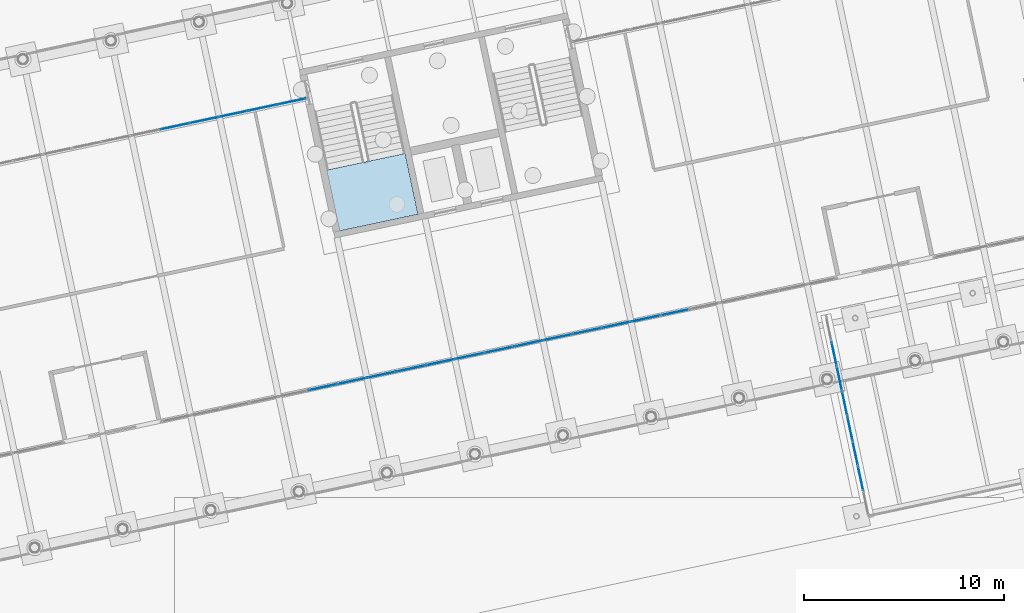
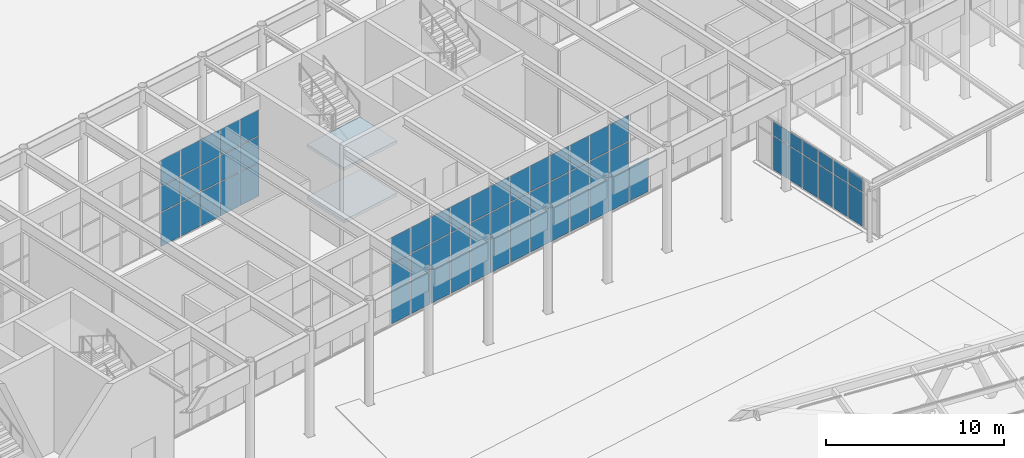
# One storey, part 141 of 239: 64 plates, 2 slabs, 4 elements without a shape of their own.
"""IFC4 building model written with IfcOpenShell, lengths in metres."""

from ifc_helpers import new_model, si_unit, direction, frame, origin, origin_2d, place, context, subcontext, project, spatial, polyline, rectangle, outline, extrude, material, layer, layer_set, type_object, element, aggregate, save


model = new_model("IFC4")

# Units and contexts
model_context = context("Model", 3, precision=1e-05, world=origin(), true_north=direction((0.0, 1.0)))
body_context = subcontext(model_context, "Body", "Model", "MODEL_VIEW")
ifc_project = project(units=[si_unit("LENGTHUNIT", "METRE"), si_unit("AREAUNIT", "SQUARE_METRE"), si_unit("VOLUMEUNIT", "CUBIC_METRE"), si_unit("PLANEANGLEUNIT", "RADIAN"), si_unit("MASSUNIT", "GRAM", prefix="KILO")], contexts=[model_context])

# Site, building, storey
site_placement = place(None, origin())
site = spatial("IfcSite", under=ifc_project, at=site_placement, CompositionType="ELEMENT")
building_placement = place(site_placement, origin())
building = spatial("IfcBuilding", under=site, at=building_placement, Name="Okhra Congress Centre", CompositionType="ELEMENT")
storey_placement = place(building_placement, origin())
storey = spatial("IfcBuildingStorey", under=building, at=storey_placement, Name="L00", CompositionType="ELEMENT", Elevation=0.0)

# Curtain wall, plates
ifc_material_1 = material(Name="Aluminium curtain wall, triple glazing", Category="aluminium")
curtain_wall_type_1 = type_object("IfcCurtainWallType", Name="Curtain wall 1500 module", PredefinedType="NOTDEFINED", material=ifc_material_1)
curtain_wall_1_placement = place(storey_placement, origin())
curtain_wall_1 = element("IfcCurtainWall", 1, at=curtain_wall_1_placement, inside=storey, type_object=curtain_wall_type_1, Name="Ground curtain wall S2", PredefinedType="NOTDEFINED")
ifc_material_2 = material(Name="Triple glazing unit, low-e coating, argon fill", Category="glass")
ifc_layer_1 = layer(ifc_material_2, 0.028076171875)
ifc_layer_set_1 = layer_set([ifc_layer_1], Name="Curtain wall glazing unit 28")
plate_type = type_object("IfcPlateType", Name="Curtain wall glazing unit 28", PredefinedType="CURTAIN_PANEL", material=ifc_layer_set_1)
plate_1_placement = place(storey_placement, frame((97.415771484375, 39.5107421875, 0.06005859375), z_axis=(0.0, 0.0, 1.0), x_axis=(0.978147600734, 0.207911690818, 0.0)))
plate_1 = element("IfcPlate", 2, at=plate_1_placement, type_object=plate_type, Name="CW7 panel 6.1", PredefinedType="CURTAIN_PANEL", context=body_context, shape_type="SweptSolid", body=[
    extrude(rectangle(XDim=1.43994140625, YDim=0.028076171875, at=origin_2d()), origin(), (0.0, 0.0, 1.0), 2.31005859375),
])
plate_2_placement = place(storey_placement, frame((97.415771484375, 39.5107421875, 2.43017578125), z_axis=(0.0, 0.0, 1.0), x_axis=(0.978147600734, 0.207911690818, 0.0)))
plate_2 = element("IfcPlate", 3, at=plate_2_placement, type_object=plate_type, Name="CW7 panel 6.2", PredefinedType="CURTAIN_PANEL", context=body_context, shape_type="SweptSolid", body=[
    extrude(rectangle(XDim=1.43994140625, YDim=0.028076171875, at=origin_2d()), origin(), (0.0, 0.0, 1.0), 1.739990234375),
])
plate_3_placement = place(storey_placement, frame((97.415771484375, 39.5107421875, 4.22998046875), z_axis=(0.0, 0.0, 1.0), x_axis=(0.978147600734, 0.207911690818, 0.0)))
plate_3 = element("IfcPlate", 4, at=plate_3_placement, type_object=plate_type, Name="CW7 panel 6.3", PredefinedType="CURTAIN_PANEL", context=body_context, shape_type="SweptSolid", body=[
    extrude(rectangle(XDim=1.43994140625, YDim=0.028076171875, at=origin_2d()), origin(), (0.0, 0.0, 1.0), 1.760009765625),
])
plate_4_placement = place(storey_placement, frame((98.883056640625, 39.82275390625, 0.06005859375), z_axis=(0.0, 0.0, 1.0), x_axis=(0.978147600734, 0.207911690818, 0.0)))
plate_4 = element("IfcPlate", 5, at=plate_4_placement, type_object=plate_type, Name="CW7 panel 7.1", PredefinedType="CURTAIN_PANEL", context=body_context, shape_type="SweptSolid", body=[
    extrude(rectangle(XDim=1.43994140625, YDim=0.028076171875, at=origin_2d()), origin(), (0.0, 0.0, 1.0), 2.31005859375),
])
plate_5_placement = place(storey_placement, frame((98.883056640625, 39.82275390625, 2.43017578125), z_axis=(0.0, 0.0, 1.0), x_axis=(0.978147600734, 0.207911690818, 0.0)))
plate_5 = element("IfcPlate", 6, at=plate_5_placement, type_object=plate_type, Name="CW7 panel 7.2", PredefinedType="CURTAIN_PANEL", context=body_context, shape_type="SweptSolid", body=[
    extrude(rectangle(XDim=1.43994140625, YDim=0.028076171875, at=origin_2d()), origin(), (0.0, 0.0, 1.0), 1.739990234375),
])
plate_6_placement = place(storey_placement, frame((98.883056640625, 39.82275390625, 4.22998046875), z_axis=(0.0, 0.0, 1.0), x_axis=(0.978147600734, 0.207911690818, 0.0)))
plate_6 = element("IfcPlate", 7, at=plate_6_placement, type_object=plate_type, Name="CW7 panel 7.3", PredefinedType="CURTAIN_PANEL", context=body_context, shape_type="SweptSolid", body=[
    extrude(rectangle(XDim=1.43994140625, YDim=0.028076171875, at=origin_2d()), origin(), (0.0, 0.0, 1.0), 1.760009765625),
])
plate_7_placement = place(storey_placement, frame((100.35009765625, 40.134521484375, 0.06005859375), z_axis=(0.0, 0.0, 1.0), x_axis=(0.978147600734, 0.207911690818, 0.0)))
plate_7 = element("IfcPlate", 8, at=plate_7_placement, type_object=plate_type, Name="CW7 panel 8.1", PredefinedType="CURTAIN_PANEL", context=body_context, shape_type="SweptSolid", body=[
    extrude(rectangle(XDim=1.43994140625, YDim=0.028076171875, at=origin_2d()), origin(), (0.0, 0.0, 1.0), 2.31005859375),
])
plate_8_placement = place(storey_placement, frame((100.35009765625, 40.134521484375, 2.43017578125), z_axis=(0.0, 0.0, 1.0), x_axis=(0.978147600734, 0.207911690818, 0.0)))
plate_8 = element("IfcPlate", 9, at=plate_8_placement, type_object=plate_type, Name="CW7 panel 8.2", PredefinedType="CURTAIN_PANEL", context=body_context, shape_type="SweptSolid", body=[
    extrude(rectangle(XDim=1.43994140625, YDim=0.028076171875, at=origin_2d()), origin(), (0.0, 0.0, 1.0), 1.739990234375),
])
plate_9_placement = place(storey_placement, frame((100.35009765625, 40.134521484375, 4.22998046875), z_axis=(0.0, 0.0, 1.0), x_axis=(0.978147600734, 0.207911690818, 0.0)))
plate_9 = element("IfcPlate", 10, at=plate_9_placement, type_object=plate_type, Name="CW7 panel 8.3", PredefinedType="CURTAIN_PANEL", context=body_context, shape_type="SweptSolid", body=[
    extrude(rectangle(XDim=1.43994140625, YDim=0.028076171875, at=origin_2d()), origin(), (0.0, 0.0, 1.0), 1.760009765625),
])
plate_10_placement = place(storey_placement, frame((101.8173828125, 40.4462890625, 0.06005859375), z_axis=(0.0, 0.0, 1.0), x_axis=(0.978147600734, 0.207911690818, 0.0)))
plate_10 = element("IfcPlate", 11, at=plate_10_placement, type_object=plate_type, Name="CW7 panel 9.1", PredefinedType="CURTAIN_PANEL", context=body_context, shape_type="SweptSolid", body=[
    extrude(rectangle(XDim=1.43994140625, YDim=0.028076171875, at=origin_2d()), origin(), (0.0, 0.0, 1.0), 2.31005859375),
])
plate_11_placement = place(storey_placement, frame((101.8173828125, 40.4462890625, 2.43017578125), z_axis=(0.0, 0.0, 1.0), x_axis=(0.978147600734, 0.207911690818, 0.0)))
plate_11 = element("IfcPlate", 12, at=plate_11_placement, type_object=plate_type, Name="CW7 panel 9.2", PredefinedType="CURTAIN_PANEL", context=body_context, shape_type="SweptSolid", body=[
    extrude(rectangle(XDim=1.43994140625, YDim=0.028076171875, at=origin_2d()), origin(), (0.0, 0.0, 1.0), 1.739990234375),
])
plate_12_placement = place(storey_placement, frame((101.8173828125, 40.4462890625, 4.22998046875), z_axis=(0.0, 0.0, 1.0), x_axis=(0.978147600734, 0.207911690818, 0.0)))
plate_12 = element("IfcPlate", 13, at=plate_12_placement, type_object=plate_type, Name="CW7 panel 9.3", PredefinedType="CURTAIN_PANEL", context=body_context, shape_type="SweptSolid", body=[
    extrude(rectangle(XDim=1.43994140625, YDim=0.028076171875, at=origin_2d()), origin(), (0.0, 0.0, 1.0), 1.760009765625),
])
plate_13_placement = place(storey_placement, frame((103.28466796875, 40.75830078125, 0.06005859375), z_axis=(0.0, 0.0, 1.0), x_axis=(0.978147600734, 0.207911690818, 0.0)))
plate_13 = element("IfcPlate", 14, at=plate_13_placement, type_object=plate_type, Name="CW7 panel 10.1", PredefinedType="CURTAIN_PANEL", context=body_context, shape_type="SweptSolid", body=[
    extrude(rectangle(XDim=1.43994140625, YDim=0.028076171875, at=origin_2d()), origin(), (0.0, 0.0, 1.0), 2.31005859375),
])
plate_14_placement = place(storey_placement, frame((103.28466796875, 40.75830078125, 2.43017578125), z_axis=(0.0, 0.0, 1.0), x_axis=(0.978147600734, 0.207911690818, 0.0)))
plate_14 = element("IfcPlate", 15, at=plate_14_placement, type_object=plate_type, Name="CW7 panel 10.2", PredefinedType="CURTAIN_PANEL", context=body_context, shape_type="SweptSolid", body=[
    extrude(rectangle(XDim=1.43994140625, YDim=0.028076171875, at=origin_2d()), origin(), (0.0, 0.0, 1.0), 1.739990234375),
])
plate_15_placement = place(storey_placement, frame((103.28466796875, 40.75830078125, 4.22998046875), z_axis=(0.0, 0.0, 1.0), x_axis=(0.978147600734, 0.207911690818, 0.0)))
plate_15 = element("IfcPlate", 16, at=plate_15_placement, type_object=plate_type, Name="CW7 panel 10.3", PredefinedType="CURTAIN_PANEL", context=body_context, shape_type="SweptSolid", body=[
    extrude(rectangle(XDim=1.43994140625, YDim=0.028076171875, at=origin_2d()), origin(), (0.0, 0.0, 1.0), 1.760009765625),
])
plate_16_placement = place(storey_placement, frame((104.751953125, 41.070068359375, 0.06005859375), z_axis=(0.0, 0.0, 1.0), x_axis=(0.978147600734, 0.207911690818, 0.0)))
plate_16 = element("IfcPlate", 17, at=plate_16_placement, type_object=plate_type, Name="CW7 panel 11.1", PredefinedType="CURTAIN_PANEL", context=body_context, shape_type="SweptSolid", body=[
    extrude(rectangle(XDim=1.43994140625, YDim=0.028076171875, at=origin_2d()), origin(), (0.0, 0.0, 1.0), 2.31005859375),
])
plate_17_placement = place(storey_placement, frame((104.751953125, 41.070068359375, 2.43017578125), z_axis=(0.0, 0.0, 1.0), x_axis=(0.978147600734, 0.207911690818, 0.0)))
plate_17 = element("IfcPlate", 18, at=plate_17_placement, type_object=plate_type, Name="CW7 panel 11.2", PredefinedType="CURTAIN_PANEL", context=body_context, shape_type="SweptSolid", body=[
    extrude(rectangle(XDim=1.43994140625, YDim=0.028076171875, at=origin_2d()), origin(), (0.0, 0.0, 1.0), 1.739990234375),
])
plate_18_placement = place(storey_placement, frame((104.751953125, 41.070068359375, 4.22998046875), z_axis=(0.0, 0.0, 1.0), x_axis=(0.978147600734, 0.207911690818, 0.0)))
plate_18 = element("IfcPlate", 19, at=plate_18_placement, type_object=plate_type, Name="CW7 panel 11.3", PredefinedType="CURTAIN_PANEL", context=body_context, shape_type="SweptSolid", body=[
    extrude(rectangle(XDim=1.43994140625, YDim=0.028076171875, at=origin_2d()), origin(), (0.0, 0.0, 1.0), 1.760009765625),
])
plate_19_placement = place(storey_placement, frame((106.218994140625, 41.382080078125, 0.06005859375), z_axis=(0.0, 0.0, 1.0), x_axis=(0.978147600734, 0.207911690818, 0.0)))
plate_19 = element("IfcPlate", 20, at=plate_19_placement, type_object=plate_type, Name="CW7 panel 12.1", PredefinedType="CURTAIN_PANEL", context=body_context, shape_type="SweptSolid", body=[
    extrude(rectangle(XDim=1.43994140625, YDim=0.028076171875, at=origin_2d()), origin(), (0.0, 0.0, 1.0), 2.31005859375),
])
plate_20_placement = place(storey_placement, frame((106.218994140625, 41.382080078125, 2.43017578125), z_axis=(0.0, 0.0, 1.0), x_axis=(0.978147600734, 0.207911690818, 0.0)))
plate_20 = element("IfcPlate", 21, at=plate_20_placement, type_object=plate_type, Name="CW7 panel 12.2", PredefinedType="CURTAIN_PANEL", context=body_context, shape_type="SweptSolid", body=[
    extrude(rectangle(XDim=1.43994140625, YDim=0.028076171875, at=origin_2d()), origin(), (0.0, 0.0, 1.0), 1.739990234375),
])
plate_21_placement = place(storey_placement, frame((106.218994140625, 41.382080078125, 4.22998046875), z_axis=(0.0, 0.0, 1.0), x_axis=(0.978147600734, 0.207911690818, 0.0)))
plate_21 = element("IfcPlate", 22, at=plate_21_placement, type_object=plate_type, Name="CW7 panel 12.3", PredefinedType="CURTAIN_PANEL", context=body_context, shape_type="SweptSolid", body=[
    extrude(rectangle(XDim=1.43994140625, YDim=0.028076171875, at=origin_2d()), origin(), (0.0, 0.0, 1.0), 1.760009765625),
])
plate_22_placement = place(storey_placement, frame((107.686279296875, 41.69384765625, 0.06005859375), z_axis=(0.0, 0.0, 1.0), x_axis=(0.978147600734, 0.207911690818, 0.0)))
plate_22 = element("IfcPlate", 23, at=plate_22_placement, type_object=plate_type, Name="CW7 panel 13.1", PredefinedType="CURTAIN_PANEL", context=body_context, shape_type="SweptSolid", body=[
    extrude(rectangle(XDim=1.43994140625, YDim=0.028076171875, at=origin_2d()), origin(), (0.0, 0.0, 1.0), 2.31005859375),
])
plate_23_placement = place(storey_placement, frame((107.686279296875, 41.69384765625, 2.43017578125), z_axis=(0.0, 0.0, 1.0), x_axis=(0.978147600734, 0.207911690818, 0.0)))
plate_23 = element("IfcPlate", 24, at=plate_23_placement, type_object=plate_type, Name="CW7 panel 13.2", PredefinedType="CURTAIN_PANEL", context=body_context, shape_type="SweptSolid", body=[
    extrude(rectangle(XDim=1.43994140625, YDim=0.028076171875, at=origin_2d()), origin(), (0.0, 0.0, 1.0), 1.739990234375),
])
plate_24_placement = place(storey_placement, frame((107.686279296875, 41.69384765625, 4.22998046875), z_axis=(0.0, 0.0, 1.0), x_axis=(0.978147600734, 0.207911690818, 0.0)))
plate_24 = element("IfcPlate", 25, at=plate_24_placement, type_object=plate_type, Name="CW7 panel 13.3", PredefinedType="CURTAIN_PANEL", context=body_context, shape_type="SweptSolid", body=[
    extrude(rectangle(XDim=1.43994140625, YDim=0.028076171875, at=origin_2d()), origin(), (0.0, 0.0, 1.0), 1.760009765625),
])
plate_25_placement = place(storey_placement, frame((109.153564453125, 42.005615234375, 0.06005859375), z_axis=(0.0, 0.0, 1.0), x_axis=(0.978147600734, 0.207911690818, 0.0)))
plate_25 = element("IfcPlate", 26, at=plate_25_placement, type_object=plate_type, Name="CW7 panel 14.1", PredefinedType="CURTAIN_PANEL", context=body_context, shape_type="SweptSolid", body=[
    extrude(rectangle(XDim=1.43994140625, YDim=0.028076171875, at=origin_2d()), origin(), (0.0, 0.0, 1.0), 2.31005859375),
])
plate_26_placement = place(storey_placement, frame((109.153564453125, 42.005615234375, 2.43017578125), z_axis=(0.0, 0.0, 1.0), x_axis=(0.978147600734, 0.207911690818, 0.0)))
plate_26 = element("IfcPlate", 27, at=plate_26_placement, type_object=plate_type, Name="CW7 panel 14.2", PredefinedType="CURTAIN_PANEL", context=body_context, shape_type="SweptSolid", body=[
    extrude(rectangle(XDim=1.43994140625, YDim=0.028076171875, at=origin_2d()), origin(), (0.0, 0.0, 1.0), 1.739990234375),
])
plate_27_placement = place(storey_placement, frame((109.153564453125, 42.005615234375, 4.22998046875), z_axis=(0.0, 0.0, 1.0), x_axis=(0.978147600734, 0.207911690818, 0.0)))
plate_27 = element("IfcPlate", 28, at=plate_27_placement, type_object=plate_type, Name="CW7 panel 14.3", PredefinedType="CURTAIN_PANEL", context=body_context, shape_type="SweptSolid", body=[
    extrude(rectangle(XDim=1.43994140625, YDim=0.028076171875, at=origin_2d()), origin(), (0.0, 0.0, 1.0), 1.760009765625),
])
plate_28_placement = place(storey_placement, frame((110.62060546875, 42.317626953125, 0.06005859375), z_axis=(0.0, 0.0, 1.0), x_axis=(0.978147600734, 0.207911690818, 0.0)))
plate_28 = element("IfcPlate", 29, at=plate_28_placement, type_object=plate_type, Name="CW7 panel 15.1", PredefinedType="CURTAIN_PANEL", context=body_context, shape_type="SweptSolid", body=[
    extrude(rectangle(XDim=1.43994140625, YDim=0.028076171875, at=origin_2d()), origin(), (0.0, 0.0, 1.0), 2.31005859375),
])
plate_29_placement = place(storey_placement, frame((110.62060546875, 42.317626953125, 2.43017578125), z_axis=(0.0, 0.0, 1.0), x_axis=(0.978147600734, 0.207911690818, 0.0)))
plate_29 = element("IfcPlate", 30, at=plate_29_placement, type_object=plate_type, Name="CW7 panel 15.2", PredefinedType="CURTAIN_PANEL", context=body_context, shape_type="SweptSolid", body=[
    extrude(rectangle(XDim=1.43994140625, YDim=0.028076171875, at=origin_2d()), origin(), (0.0, 0.0, 1.0), 1.739990234375),
])
plate_30_placement = place(storey_placement, frame((110.62060546875, 42.317626953125, 4.22998046875), z_axis=(0.0, 0.0, 1.0), x_axis=(0.978147600734, 0.207911690818, 0.0)))
plate_30 = element("IfcPlate", 31, at=plate_30_placement, type_object=plate_type, Name="CW7 panel 15.3", PredefinedType="CURTAIN_PANEL", context=body_context, shape_type="SweptSolid", body=[
    extrude(rectangle(XDim=1.43994140625, YDim=0.028076171875, at=origin_2d()), origin(), (0.0, 0.0, 1.0), 1.760009765625),
])
plate_31_placement = place(storey_placement, frame((112.087890625, 42.62939453125, 0.06005859375), z_axis=(0.0, 0.0, 1.0), x_axis=(0.978147600734, 0.207911690818, 0.0)))
plate_31 = element("IfcPlate", 32, at=plate_31_placement, type_object=plate_type, Name="CW7 panel 16.1", PredefinedType="CURTAIN_PANEL", context=body_context, shape_type="SweptSolid", body=[
    extrude(rectangle(XDim=1.43994140625, YDim=0.028076171875, at=origin_2d()), origin(), (0.0, 0.0, 1.0), 2.31005859375),
])
plate_32_placement = place(storey_placement, frame((112.087890625, 42.62939453125, 2.43017578125), z_axis=(0.0, 0.0, 1.0), x_axis=(0.978147600734, 0.207911690818, 0.0)))
plate_32 = element("IfcPlate", 33, at=plate_32_placement, type_object=plate_type, Name="CW7 panel 16.2", PredefinedType="CURTAIN_PANEL", context=body_context, shape_type="SweptSolid", body=[
    extrude(rectangle(XDim=1.43994140625, YDim=0.028076171875, at=origin_2d()), origin(), (0.0, 0.0, 1.0), 1.739990234375),
])
plate_33_placement = place(storey_placement, frame((112.087890625, 42.62939453125, 4.22998046875), z_axis=(0.0, 0.0, 1.0), x_axis=(0.978147600734, 0.207911690818, 0.0)))
plate_33 = element("IfcPlate", 34, at=plate_33_placement, type_object=plate_type, Name="CW7 panel 16.3", PredefinedType="CURTAIN_PANEL", context=body_context, shape_type="SweptSolid", body=[
    extrude(rectangle(XDim=1.43994140625, YDim=0.028076171875, at=origin_2d()), origin(), (0.0, 0.0, 1.0), 1.760009765625),
])
plate_34_placement = place(storey_placement, frame((113.55517578125, 42.94140625, 0.06005859375), z_axis=(0.0, 0.0, 1.0), x_axis=(0.978147600734, 0.207911690818, 0.0)))
plate_34 = element("IfcPlate", 35, at=plate_34_placement, type_object=plate_type, Name="CW7 panel 17.1", PredefinedType="CURTAIN_PANEL", context=body_context, shape_type="SweptSolid", body=[
    extrude(rectangle(XDim=1.43994140625, YDim=0.028076171875, at=origin_2d()), origin(), (0.0, 0.0, 1.0), 2.31005859375),
])
plate_35_placement = place(storey_placement, frame((113.55517578125, 42.94140625, 2.43017578125), z_axis=(0.0, 0.0, 1.0), x_axis=(0.978147600734, 0.207911690818, 0.0)))
plate_35 = element("IfcPlate", 36, at=plate_35_placement, type_object=plate_type, Name="CW7 panel 17.2", PredefinedType="CURTAIN_PANEL", context=body_context, shape_type="SweptSolid", body=[
    extrude(rectangle(XDim=1.43994140625, YDim=0.028076171875, at=origin_2d()), origin(), (0.0, 0.0, 1.0), 1.739990234375),
])
plate_36_placement = place(storey_placement, frame((113.55517578125, 42.94140625, 4.22998046875), z_axis=(0.0, 0.0, 1.0), x_axis=(0.978147600734, 0.207911690818, 0.0)))
plate_36 = element("IfcPlate", 37, at=plate_36_placement, type_object=plate_type, Name="CW7 panel 17.3", PredefinedType="CURTAIN_PANEL", context=body_context, shape_type="SweptSolid", body=[
    extrude(rectangle(XDim=1.43994140625, YDim=0.028076171875, at=origin_2d()), origin(), (0.0, 0.0, 1.0), 1.760009765625),
])
plate_37_placement = place(storey_placement, frame((115.0224609375, 43.253173828125, 0.06005859375), z_axis=(0.0, 0.0, 1.0), x_axis=(0.978147600734, 0.207911690818, 0.0)))
plate_37 = element("IfcPlate", 38, at=plate_37_placement, type_object=plate_type, Name="CW7 panel 18.1", PredefinedType="CURTAIN_PANEL", context=body_context, shape_type="SweptSolid", body=[
    extrude(rectangle(XDim=1.43994140625, YDim=0.028076171875, at=origin_2d()), origin(), (0.0, 0.0, 1.0), 2.31005859375),
])
aggregate(curtain_wall_1, [plate_1, plate_2, plate_3, plate_4, plate_5, plate_6, plate_7, plate_8, plate_9, plate_10, plate_11, plate_12, plate_13, plate_14, plate_15, plate_16, plate_17, plate_18, plate_19, plate_20, plate_21, plate_22, plate_23, plate_24, plate_25, plate_26, plate_27, plate_28, plate_29, plate_30, plate_31, plate_32, plate_33, plate_34, plate_35, plate_36, plate_37])

curtain_wall_2_placement = place(storey_placement, origin())
curtain_wall_2 = element("IfcCurtainWall", 39, at=curtain_wall_2_placement, inside=storey, type_object=curtain_wall_type_1, Name="Ground curtain wall N7", PredefinedType="NOTDEFINED")
plate_38_placement = place(storey_placement, frame((90.013671875, 52.546630859375, 0.06005859375), z_axis=(0.0, 0.0, 1.0), x_axis=(0.978147600734, 0.207911690818, 0.0)))
plate_38 = element("IfcPlate", 40, at=plate_38_placement, type_object=plate_type, Name="CW7 panel 14.1", PredefinedType="CURTAIN_PANEL", context=body_context, shape_type="SweptSolid", body=[
    extrude(rectangle(XDim=1.437744140625, YDim=0.028076171875, at=origin_2d()), origin(), (0.0, 0.0, 1.0), 2.31005859375),
])
plate_39_placement = place(storey_placement, frame((90.013671875, 52.546630859375, 2.43017578125), z_axis=(0.0, 0.0, 1.0), x_axis=(0.978147600734, 0.207911690818, 0.0)))
plate_39 = element("IfcPlate", 41, at=plate_39_placement, type_object=plate_type, Name="CW7 panel 14.2", PredefinedType="CURTAIN_PANEL", context=body_context, shape_type="SweptSolid", body=[
    extrude(rectangle(XDim=1.437744140625, YDim=0.028076171875, at=origin_2d()), origin(), (0.0, 0.0, 1.0), 1.739990234375),
])
plate_40_placement = place(storey_placement, frame((90.013671875, 52.546630859375, 4.22998046875), z_axis=(0.0, 0.0, 1.0), x_axis=(0.978147600734, 0.207911690818, 0.0)))
plate_40 = element("IfcPlate", 42, at=plate_40_placement, type_object=plate_type, Name="CW7 panel 14.3", PredefinedType="CURTAIN_PANEL", context=body_context, shape_type="SweptSolid", body=[
    extrude(rectangle(XDim=1.437744140625, YDim=0.028076171875, at=origin_2d()), origin(), (0.0, 0.0, 1.0), 1.760009765625),
])
plate_41_placement = place(storey_placement, frame((91.478759765625, 52.858154296875, 0.06005859375), z_axis=(0.0, 0.0, 1.0), x_axis=(0.978147600734, 0.207911690818, 0.0)))
plate_41 = element("IfcPlate", 43, at=plate_41_placement, type_object=plate_type, Name="CW7 panel 15.1", PredefinedType="CURTAIN_PANEL", context=body_context, shape_type="SweptSolid", body=[
    extrude(rectangle(XDim=1.437744140625, YDim=0.028076171875, at=origin_2d()), origin(), (0.0, 0.0, 1.0), 2.31005859375),
])
plate_42_placement = place(storey_placement, frame((91.478759765625, 52.858154296875, 2.43017578125), z_axis=(0.0, 0.0, 1.0), x_axis=(0.978147600734, 0.207911690818, 0.0)))
plate_42 = element("IfcPlate", 44, at=plate_42_placement, type_object=plate_type, Name="CW7 panel 15.2", PredefinedType="CURTAIN_PANEL", context=body_context, shape_type="SweptSolid", body=[
    extrude(rectangle(XDim=1.437744140625, YDim=0.028076171875, at=origin_2d()), origin(), (0.0, 0.0, 1.0), 1.739990234375),
])
plate_43_placement = place(storey_placement, frame((91.478759765625, 52.858154296875, 4.22998046875), z_axis=(0.0, 0.0, 1.0), x_axis=(0.978147600734, 0.207911690818, 0.0)))
plate_43 = element("IfcPlate", 45, at=plate_43_placement, type_object=plate_type, Name="CW7 panel 15.3", PredefinedType="CURTAIN_PANEL", context=body_context, shape_type="SweptSolid", body=[
    extrude(rectangle(XDim=1.437744140625, YDim=0.028076171875, at=origin_2d()), origin(), (0.0, 0.0, 1.0), 1.760009765625),
])
plate_44_placement = place(storey_placement, frame((92.94384765625, 53.16943359375, 0.06005859375), z_axis=(0.0, 0.0, 1.0), x_axis=(0.978147600734, 0.207911690818, 0.0)))
plate_44 = element("IfcPlate", 46, at=plate_44_placement, type_object=plate_type, Name="CW7 panel 16.1", PredefinedType="CURTAIN_PANEL", context=body_context, shape_type="SweptSolid", body=[
    extrude(rectangle(XDim=1.437744140625, YDim=0.028076171875, at=origin_2d()), origin(), (0.0, 0.0, 1.0), 2.31005859375),
])
plate_45_placement = place(storey_placement, frame((92.94384765625, 53.16943359375, 2.43017578125), z_axis=(0.0, 0.0, 1.0), x_axis=(0.978147600734, 0.207911690818, 0.0)))
plate_45 = element("IfcPlate", 47, at=plate_45_placement, type_object=plate_type, Name="CW7 panel 16.2", PredefinedType="CURTAIN_PANEL", context=body_context, shape_type="SweptSolid", body=[
    extrude(rectangle(XDim=1.437744140625, YDim=0.028076171875, at=origin_2d()), origin(), (0.0, 0.0, 1.0), 1.739990234375),
])
plate_46_placement = place(storey_placement, frame((92.94384765625, 53.16943359375, 4.22998046875), z_axis=(0.0, 0.0, 1.0), x_axis=(0.978147600734, 0.207911690818, 0.0)))
plate_46 = element("IfcPlate", 48, at=plate_46_placement, type_object=plate_type, Name="CW7 panel 16.3", PredefinedType="CURTAIN_PANEL", context=body_context, shape_type="SweptSolid", body=[
    extrude(rectangle(XDim=1.437744140625, YDim=0.028076171875, at=origin_2d()), origin(), (0.0, 0.0, 1.0), 1.760009765625),
])
plate_47_placement = place(storey_placement, frame((94.40869140625, 53.48095703125, 0.06005859375), z_axis=(0.0, 0.0, 1.0), x_axis=(0.978147600734, 0.207911690818, 0.0)))
plate_47 = element("IfcPlate", 49, at=plate_47_placement, type_object=plate_type, Name="CW7 panel 17.1", PredefinedType="CURTAIN_PANEL", context=body_context, shape_type="SweptSolid", body=[
    extrude(rectangle(XDim=1.437744140625, YDim=0.028076171875, at=origin_2d()), origin(), (0.0, 0.0, 1.0), 2.31005859375),
])
plate_48_placement = place(storey_placement, frame((94.40869140625, 53.48095703125, 2.43017578125), z_axis=(0.0, 0.0, 1.0), x_axis=(0.978147600734, 0.207911690818, 0.0)))
plate_48 = element("IfcPlate", 50, at=plate_48_placement, type_object=plate_type, Name="CW7 panel 17.2", PredefinedType="CURTAIN_PANEL", context=body_context, shape_type="SweptSolid", body=[
    extrude(rectangle(XDim=1.437744140625, YDim=0.028076171875, at=origin_2d()), origin(), (0.0, 0.0, 1.0), 1.739990234375),
])
plate_49_placement = place(storey_placement, frame((94.40869140625, 53.48095703125, 4.22998046875), z_axis=(0.0, 0.0, 1.0), x_axis=(0.978147600734, 0.207911690818, 0.0)))
plate_49 = element("IfcPlate", 51, at=plate_49_placement, type_object=plate_type, Name="CW7 panel 17.3", PredefinedType="CURTAIN_PANEL", context=body_context, shape_type="SweptSolid", body=[
    extrude(rectangle(XDim=1.437744140625, YDim=0.028076171875, at=origin_2d()), origin(), (0.0, 0.0, 1.0), 1.760009765625),
])
plate_50_placement = place(storey_placement, frame((95.859130859375, 53.7890625, 0.06005859375), z_axis=(0.0, 0.0, 1.0), x_axis=(0.978147600734, 0.207911690818, 0.0)))
plate_50 = element("IfcPlate", 52, at=plate_50_placement, type_object=plate_type, Name="CW7 panel 18.1", PredefinedType="CURTAIN_PANEL", context=body_context, shape_type="SweptSolid", body=[
    extrude(rectangle(XDim=1.40771484375, YDim=0.028076171875, at=origin_2d()), origin(), (0.0, 0.0, 1.0), 2.31005859375),
])
plate_51_placement = place(storey_placement, frame((95.859130859375, 53.7890625, 2.43017578125), z_axis=(0.0, 0.0, 1.0), x_axis=(0.978147600734, 0.207911690818, 0.0)))
plate_51 = element("IfcPlate", 53, at=plate_51_placement, type_object=plate_type, Name="CW7 panel 18.2", PredefinedType="CURTAIN_PANEL", context=body_context, shape_type="SweptSolid", body=[
    extrude(rectangle(XDim=1.40771484375, YDim=0.028076171875, at=origin_2d()), origin(), (0.0, 0.0, 1.0), 1.739990234375),
])
plate_52_placement = place(storey_placement, frame((95.859130859375, 53.7890625, 4.22998046875), z_axis=(0.0, 0.0, 1.0), x_axis=(0.978147600734, 0.207911690818, 0.0)))
plate_52 = element("IfcPlate", 54, at=plate_52_placement, type_object=plate_type, Name="CW7 panel 18.3", PredefinedType="CURTAIN_PANEL", context=body_context, shape_type="SweptSolid", body=[
    extrude(rectangle(XDim=1.40771484375, YDim=0.028076171875, at=origin_2d()), origin(), (0.0, 0.0, 1.0), 1.760009765625),
])
aggregate(curtain_wall_2, [plate_38, plate_39, plate_40, plate_41, plate_42, plate_43, plate_44, plate_45, plate_46, plate_47, plate_48, plate_49, plate_50, plate_51, plate_52])

curtain_wall_type_2 = type_object("IfcCurtainWallType", Name="Curtain wall 1200 module", PredefinedType="NOTDEFINED", material=ifc_material_1)
curtain_wall_3_placement = place(storey_placement, origin())
curtain_wall_3 = element("IfcCurtainWall", 55, at=curtain_wall_3_placement, inside=storey, type_object=curtain_wall_type_2, Name="Porch glazed side 1", PredefinedType="NOTDEFINED")
plate_53_placement = place(storey_placement, frame((124.30078125, 34.95361328125, 0.06005859375), z_axis=(0.0, 0.0, 1.0), x_axis=(-0.207911690818, 0.978147600734, 0.0)))
plate_53 = element("IfcPlate", 56, at=plate_53_placement, type_object=plate_type, Name="CW8 panel 2.1", PredefinedType="CURTAIN_PANEL", context=body_context, shape_type="SweptSolid", body=[
    extrude(rectangle(XDim=1.2119140625, YDim=0.028076171875, at=origin_2d()), origin(), (0.0, 0.0, 1.0), 2.31005859375),
])
plate_54_placement = place(storey_placement, frame((124.30078125, 34.95361328125, 2.429931640625), z_axis=(0.0, 0.0, 1.0), x_axis=(-0.207911690818, 0.978147600734, 0.0)))
plate_54 = element("IfcPlate", 57, at=plate_54_placement, type_object=plate_type, Name="CW8 panel 2.2", PredefinedType="CURTAIN_PANEL", context=body_context, shape_type="SweptSolid", body=[
    extrude(rectangle(XDim=1.2119140625, YDim=0.028076171875, at=origin_2d()), origin(), (0.0, 0.0, 1.0), 0.92578125),
])
plate_55_placement = place(storey_placement, frame((124.036376953125, 36.19775390625, 0.06005859375), z_axis=(0.0, 0.0, 1.0), x_axis=(-0.207911690818, 0.978147600734, 0.0)))
plate_55 = element("IfcPlate", 58, at=plate_55_placement, type_object=plate_type, Name="CW8 panel 3.1", PredefinedType="CURTAIN_PANEL", context=body_context, shape_type="SweptSolid", body=[
    extrude(rectangle(XDim=1.2119140625, YDim=0.028076171875, at=origin_2d()), origin(), (0.0, 0.0, 1.0), 2.31005859375),
])
plate_56_placement = place(storey_placement, frame((124.036376953125, 36.19775390625, 2.429931640625), z_axis=(0.0, 0.0, 1.0), x_axis=(-0.207911690818, 0.978147600734, 0.0)))
plate_56 = element("IfcPlate", 59, at=plate_56_placement, type_object=plate_type, Name="CW8 panel 3.2", PredefinedType="CURTAIN_PANEL", context=body_context, shape_type="SweptSolid", body=[
    extrude(rectangle(XDim=1.2119140625, YDim=0.028076171875, at=origin_2d()), origin(), (0.0, 0.0, 1.0), 0.92578125),
])
plate_57_placement = place(storey_placement, frame((123.771728515625, 37.44189453125, 0.06005859375), z_axis=(0.0, 0.0, 1.0), x_axis=(-0.207911690818, 0.978147600734, 0.0)))
plate_57 = element("IfcPlate", 60, at=plate_57_placement, type_object=plate_type, Name="CW8 panel 4.1", PredefinedType="CURTAIN_PANEL", context=body_context, shape_type="SweptSolid", body=[
    extrude(rectangle(XDim=1.2119140625, YDim=0.028076171875, at=origin_2d()), origin(), (0.0, 0.0, 1.0), 2.31005859375),
])
plate_58_placement = place(storey_placement, frame((123.771728515625, 37.44189453125, 2.429931640625), z_axis=(0.0, 0.0, 1.0), x_axis=(-0.207911690818, 0.978147600734, 0.0)))
plate_58 = element("IfcPlate", 61, at=plate_58_placement, type_object=plate_type, Name="CW8 panel 4.2", PredefinedType="CURTAIN_PANEL", context=body_context, shape_type="SweptSolid", body=[
    extrude(rectangle(XDim=1.2119140625, YDim=0.028076171875, at=origin_2d()), origin(), (0.0, 0.0, 1.0), 0.92578125),
])
plate_59_placement = place(storey_placement, frame((123.50732421875, 38.68603515625, 0.06005859375), z_axis=(0.0, 0.0, 1.0), x_axis=(-0.207911690818, 0.978147600734, 0.0)))
plate_59 = element("IfcPlate", 62, at=plate_59_placement, type_object=plate_type, Name="CW8 panel 5.1", PredefinedType="CURTAIN_PANEL", context=body_context, shape_type="SweptSolid", body=[
    extrude(rectangle(XDim=1.2119140625, YDim=0.028076171875, at=origin_2d()), origin(), (0.0, 0.0, 1.0), 2.31005859375),
])
plate_60_placement = place(storey_placement, frame((123.50732421875, 38.68603515625, 2.429931640625), z_axis=(0.0, 0.0, 1.0), x_axis=(-0.207911690818, 0.978147600734, 0.0)))
plate_60 = element("IfcPlate", 63, at=plate_60_placement, type_object=plate_type, Name="CW8 panel 5.2", PredefinedType="CURTAIN_PANEL", context=body_context, shape_type="SweptSolid", body=[
    extrude(rectangle(XDim=1.2119140625, YDim=0.028076171875, at=origin_2d()), origin(), (0.0, 0.0, 1.0), 0.92578125),
])
plate_61_placement = place(storey_placement, frame((123.242919921875, 39.929931640625, 0.06005859375), z_axis=(0.0, 0.0, 1.0), x_axis=(-0.207911690818, 0.978147600734, 0.0)))
plate_61 = element("IfcPlate", 64, at=plate_61_placement, type_object=plate_type, Name="CW8 panel 6.1", PredefinedType="CURTAIN_PANEL", context=body_context, shape_type="SweptSolid", body=[
    extrude(rectangle(XDim=1.2119140625, YDim=0.028076171875, at=origin_2d()), origin(), (0.0, 0.0, 1.0), 2.31005859375),
])
plate_62_placement = place(storey_placement, frame((123.242919921875, 39.929931640625, 2.429931640625), z_axis=(0.0, 0.0, 1.0), x_axis=(-0.207911690818, 0.978147600734, 0.0)))
plate_62 = element("IfcPlate", 65, at=plate_62_placement, type_object=plate_type, Name="CW8 panel 6.2", PredefinedType="CURTAIN_PANEL", context=body_context, shape_type="SweptSolid", body=[
    extrude(rectangle(XDim=1.2119140625, YDim=0.028076171875, at=origin_2d()), origin(), (0.0, 0.0, 1.0), 0.92578125),
])
plate_63_placement = place(storey_placement, frame((122.978515625, 41.174072265625, 0.06005859375), z_axis=(0.0, 0.0, 1.0), x_axis=(-0.207911690818, 0.978147600734, 0.0)))
plate_63 = element("IfcPlate", 66, at=plate_63_placement, type_object=plate_type, Name="CW8 panel 7.1", PredefinedType="CURTAIN_PANEL", context=body_context, shape_type="SweptSolid", body=[
    extrude(rectangle(XDim=1.2119140625, YDim=0.028076171875, at=origin_2d()), origin(), (0.0, 0.0, 1.0), 2.31005859375),
])
plate_64_placement = place(storey_placement, frame((122.978515625, 41.174072265625, 2.429931640625), z_axis=(0.0, 0.0, 1.0), x_axis=(-0.207911690818, 0.978147600734, 0.0)))
plate_64 = element("IfcPlate", 67, at=plate_64_placement, type_object=plate_type, Name="CW8 panel 7.2", PredefinedType="CURTAIN_PANEL", context=body_context, shape_type="SweptSolid", body=[
    extrude(rectangle(XDim=1.2119140625, YDim=0.028076171875, at=origin_2d()), origin(), (0.0, 0.0, 1.0), 0.92578125),
])
aggregate(curtain_wall_3, [plate_53, plate_54, plate_55, plate_56, plate_57, plate_58, plate_59, plate_60, plate_61, plate_62, plate_63, plate_64])

# Stair, slabs
ifc_material_3 = material(Name="Concrete C30/37", Category="concrete")
stair_type = type_object("IfcStairType", Name="Escape stair 1900 wide, 44 risers of 163.6", PredefinedType="HALF_TURN_STAIR", material=ifc_material_3)
stair_placement = place(storey_placement, origin())
stair = element("IfcStair", 68, at=stair_placement, inside=storey, type_object=stair_type, Name="L00 Escape stair 2A", PredefinedType="HALF_TURN_STAIR")
ifc_layer_2 = layer(ifc_material_3, 0.199951171875)
ifc_layer_set_2 = layer_set([ifc_layer_2], Name="RC stair landing 200 C30/37")
slab_type = type_object("IfcSlabType", Name="RC stair landing 200 C30/37", PredefinedType="LANDING", material=ifc_layer_set_2)
slab_1_placement = place(storey_placement, frame((0.0, 0.0, 1.60009765625)))
slab_1 = element("IfcSlab", 69, at=slab_1_placement, type_object=slab_type, Name="BS2A landing 1", PredefinedType="LANDING", context=body_context, shape_type="SweptSolid", body=[
    extrude(outline(polyline([(97.608642578125, 50.363037109375), (101.531005859375, 51.19677734375), (102.177490234375, 48.15478515625), (98.255126953125, 47.321044921875), (97.608642578125, 50.363037109375)])), origin(), (0.0, 0.0, 1.0), 0.199951171875),
])
slab_2_placement = place(storey_placement, frame((0.0, 0.0, 5.199951171875)))
slab_2 = element("IfcSlab", 70, at=slab_2_placement, type_object=slab_type, Name="BS2A landing 3", PredefinedType="LANDING", context=body_context, shape_type="SweptSolid", body=[
    extrude(outline(polyline([(97.608642578125, 50.363037109375), (101.531005859375, 51.19677734375), (102.177490234375, 48.15478515625), (98.255126953125, 47.321044921875), (97.608642578125, 50.363037109375)])), origin(), (0.0, 0.0, 1.0), 0.199951171875),
])
aggregate(stair, [slab_1, slab_2])

save(model, "model.ifc")
